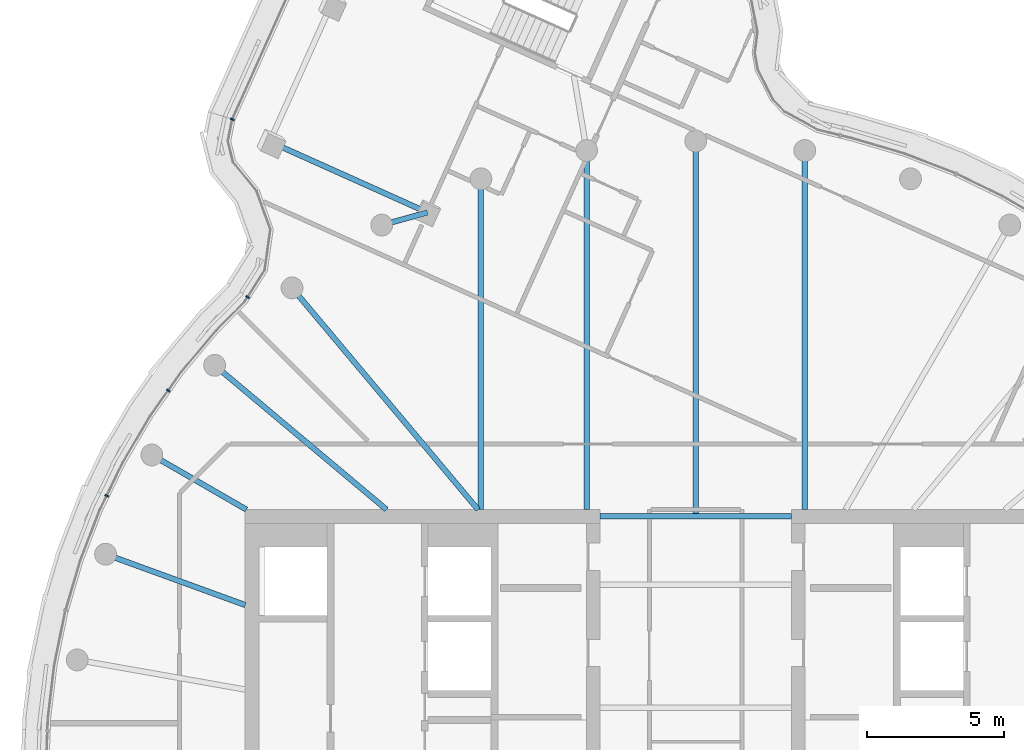
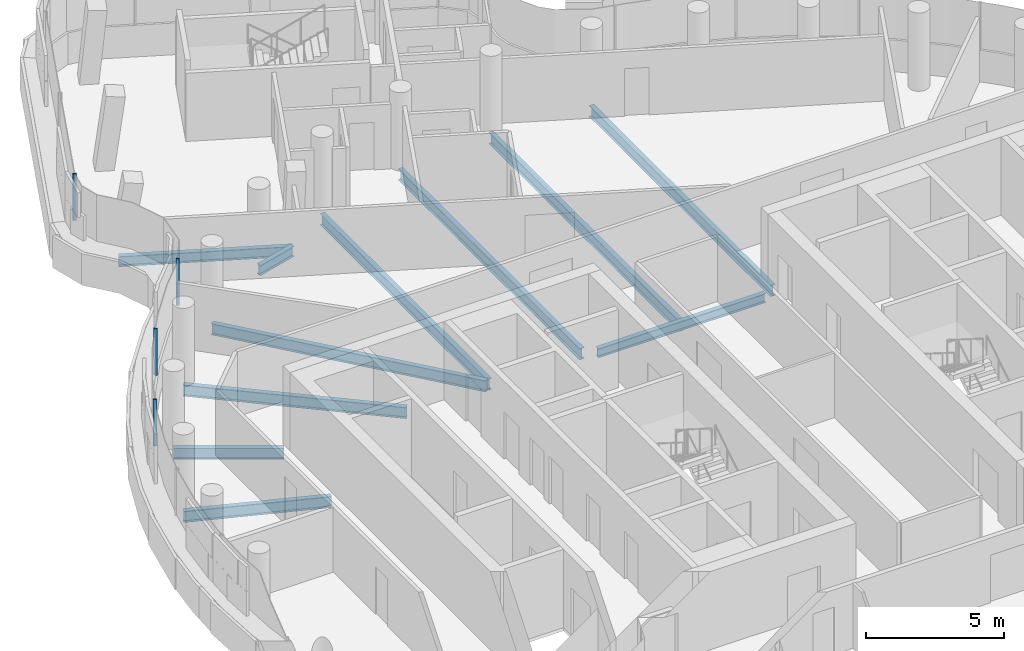
# One storey, part 9 of 21: 11 beams, 4 members, 1 element without a shape of its own.
"""IFC4 building model written with IfcOpenShell, lengths in metres."""

from ifc_helpers import new_model, si_unit, direction, frame, origin, origin_2d, place, context, subcontext, project, spatial, rectangle, i_section, extrude, material, layer, layer_set, material_profile, profile_set, type_object, element, aggregate, save


model = new_model("IFC4")

# Units and contexts
model_context = context("Model", 3, precision=1e-05, world=origin(), true_north=direction((0.0, 1.0)))
body_context = subcontext(model_context, "Body", "Model", "MODEL_VIEW")
ifc_project = project(units=[si_unit("LENGTHUNIT", "METRE"), si_unit("AREAUNIT", "SQUARE_METRE"), si_unit("VOLUMEUNIT", "CUBIC_METRE"), si_unit("PLANEANGLEUNIT", "RADIAN"), si_unit("MASSUNIT", "GRAM", prefix="KILO")], contexts=[model_context])

# Site, building, storey
site_placement = place(None, origin())
site = spatial("IfcSite", under=ifc_project, at=site_placement, CompositionType="ELEMENT")
building_placement = place(site_placement, origin())
building = spatial("IfcBuilding", under=site, at=building_placement, Name="Tamarind Cross Interchange Tower", CompositionType="ELEMENT")
storey_placement = place(building_placement, frame((0.0, 0.0, 271.199951171875)))
storey = spatial("IfcBuildingStorey", under=building, at=storey_placement, Name="L69", CompositionType="ELEMENT", Elevation=271.199951171875)

# Beams
ifc_material_1 = material(Name="Steel Q355B", Category="steel")
ifc_material_profile_1 = material_profile(ifc_material_1, i_section(OverallWidth=0.199951171875, OverallDepth=0.39990234375, WebThickness=0.008056640625, FlangeThickness=0.012939453125, FilletRadius=0.01611328125, at=origin_2d()), Name="HN 400x200x8x13")
ifc_profile_set_1 = profile_set([ifc_material_profile_1], Name="Steel Q355B")
beam_type_1 = type_object("IfcBeamType", Name="Composite beam HN 400x200x8x13 Q355B", PredefinedType="BEAM", material=ifc_profile_set_1)
beam_1_placement = place(storey_placement, frame((-3.5, 9.25, -0.33984375), z_axis=(1.0, 0.0, 0.0), x_axis=(0.0, 1.0, 0.0)))
element("IfcBeam", 1, at=beam_1_placement, inside=storey, type_object=beam_type_1, Name="Beam G9.25", PredefinedType="BEAM", context=body_context, shape_type="SweptSolid", body=[
    extrude(i_section(OverallWidth=0.199951171875, OverallDepth=0.39990234375, WebThickness=0.008056640625, FlangeThickness=0.012939453125, FilletRadius=0.01611328125, at=origin_2d()), origin(), (0.0, 0.0, 1.0), 7.0),
])
ifc_material_profile_2 = material_profile(ifc_material_1, i_section(OverallWidth=0.198974609375, OverallDepth=0.446044921875, WebThickness=0.008056640625, FlangeThickness=0.011962890625, FilletRadius=0.012939453125, at=origin_2d()), Name="HN 446x199x8x12")
ifc_profile_set_2 = profile_set([ifc_material_profile_2], Name="Steel Q355B")
beam_type_2 = type_object("IfcBeamType", Name="Composite beam HN 446x199x8x12 Q355B", PredefinedType="BEAM", material=ifc_profile_set_2)
beam_2_placement = place(storey_placement, frame((-15.60107421875, 22.975341796875, -0.363037109375), z_axis=(0.912273943752, -0.409580580046, 0.0), x_axis=(0.409580580046, 0.912273943752, 0.0)))
element("IfcBeam", 2, at=beam_2_placement, inside=storey, type_object=beam_type_2, Name="Beam N-edgeep2", PredefinedType="BEAM", context=body_context, shape_type="SweptSolid", body=[
    extrude(i_section(OverallWidth=0.198974609375, OverallDepth=0.446044921875, WebThickness=0.008056640625, FlangeThickness=0.011962890625, FilletRadius=0.012939453125, at=origin_2d()), origin(), (0.0, 0.0, 1.0), 6.33203125),
])
beam_3_placement = place(storey_placement, frame((-9.824462890625, 20.3818359375, -0.363037109375), z_axis=(-0.963857171964, -0.266419503893, 0.0), x_axis=(0.266419503893, -0.963857171964, 0.0)))
element("IfcBeam", 3, at=beam_3_placement, inside=storey, type_object=beam_type_2, Name="Beam N-linkep", PredefinedType="BEAM", context=body_context, shape_type="SweptSolid", body=[
    extrude(i_section(OverallWidth=0.198974609375, OverallDepth=0.446044921875, WebThickness=0.008056640625, FlangeThickness=0.011962890625, FilletRadius=0.012939453125, at=origin_2d()), origin(), (0.0, 0.0, 1.0), 1.73828125),
])
ifc_material_profile_3 = material_profile(ifc_material_1, i_section(OverallWidth=0.198974609375, OverallDepth=0.49609375, WebThickness=0.009033203125, FlangeThickness=0.013916015625, FilletRadius=0.012939453125, at=origin_2d()), Name="HN 496x199x9x14")
ifc_profile_set_3 = profile_set([ifc_material_profile_3], Name="Steel Q355B")
beam_type_3 = type_object("IfcBeamType", Name="Composite beam HN 496x199x9x14 Q355B", PredefinedType="BEAM", material=ifc_profile_set_3)
beam_4_placement = place(storey_placement, frame((3.993896484375, 22.650634765625, -0.387939453125), z_axis=(0.0, -1.0, 0.0), x_axis=(1.0, 0.0, 0.0)))
element("IfcBeam", 4, at=beam_4_placement, inside=storey, type_object=beam_type_3, Name="Beam HH08", PredefinedType="BEAM", context=body_context, shape_type="SweptSolid", body=[
    extrude(i_section(OverallWidth=0.198974609375, OverallDepth=0.49609375, WebThickness=0.009033203125, FlangeThickness=0.013916015625, FilletRadius=0.012939453125, at=origin_2d()), origin(), (0.0, 0.0, 1.0), 13.150634765625),
])
beam_5_placement = place(storey_placement, frame((0.0, 23.0, -0.387939453125), z_axis=(0.0, -1.0, 0.0), x_axis=(1.0, 0.0, 0.0)))
element("IfcBeam", 5, at=beam_5_placement, inside=storey, type_object=beam_type_3, Name="Beam HH09", PredefinedType="BEAM", context=body_context, shape_type="SweptSolid", body=[
    extrude(i_section(OverallWidth=0.198974609375, OverallDepth=0.49609375, WebThickness=0.009033203125, FlangeThickness=0.013916015625, FilletRadius=0.012939453125, at=origin_2d()), origin(), (0.0, 0.0, 1.0), 13.75),
])
beam_6_placement = place(storey_placement, frame((-3.993896484375, 22.650634765625, -0.387939453125), z_axis=(0.0, -1.0, 0.0), x_axis=(1.0, 0.0, 0.0)))
element("IfcBeam", 6, at=beam_6_placement, inside=storey, type_object=beam_type_3, Name="Beam HH10", PredefinedType="BEAM", context=body_context, shape_type="SweptSolid", body=[
    extrude(i_section(OverallWidth=0.198974609375, OverallDepth=0.49609375, WebThickness=0.009033203125, FlangeThickness=0.013916015625, FilletRadius=0.012939453125, at=origin_2d()), origin(), (0.0, 0.0, 1.0), 13.150634765625),
])
beam_7_placement = place(storey_placement, frame((-7.866455078125, 21.613037109375, -0.387939453125), z_axis=(0.0, -1.0, 0.0), x_axis=(1.0, 0.0, 0.0)))
element("IfcBeam", 7, at=beam_7_placement, inside=storey, type_object=beam_type_3, Name="Beam HH11", PredefinedType="BEAM", context=body_context, shape_type="SweptSolid", body=[
    extrude(i_section(OverallWidth=0.198974609375, OverallDepth=0.49609375, WebThickness=0.009033203125, FlangeThickness=0.013916015625, FilletRadius=0.012939453125, at=origin_2d()), origin(), (0.0, 0.0, 1.0), 12.113037109375),
])
beam_8_placement = place(storey_placement, frame((-14.7841796875, 17.619140625, -0.387939453125), z_axis=(0.642786293979, -0.766045547127, 0.0), x_axis=(0.766045547127, 0.642786293979, 0.0)))
element("IfcBeam", 8, at=beam_8_placement, inside=storey, type_object=beam_type_3, Name="Beam HH13", PredefinedType="BEAM", context=body_context, shape_type="SweptSolid", body=[
    extrude(i_section(OverallWidth=0.198974609375, OverallDepth=0.49609375, WebThickness=0.009033203125, FlangeThickness=0.013916015625, FilletRadius=0.012939453125, at=origin_2d()), origin(), (0.0, 0.0, 1.0), 10.598876953125),
])
beam_9_placement = place(storey_placement, frame((-17.619140625, 14.7841796875, -0.387939453125), z_axis=(0.766040580814, -0.642792212574, 0.0), x_axis=(0.642792212574, 0.766040580814, 0.0)))
element("IfcBeam", 9, at=beam_9_placement, inside=storey, type_object=beam_type_3, Name="Beam HH14", PredefinedType="BEAM", context=body_context, shape_type="SweptSolid", body=[
    extrude(i_section(OverallWidth=0.198974609375, OverallDepth=0.49609375, WebThickness=0.009033203125, FlangeThickness=0.013916015625, FilletRadius=0.012939453125, at=origin_2d()), origin(), (0.0, 0.0, 1.0), 8.220703125),
])
beam_10_placement = place(storey_placement, frame((-19.918701171875, 11.5, -0.387939453125), z_axis=(0.866026010844, -0.49999894854, 0.0), x_axis=(0.49999894854, 0.866026010844, 0.0)))
element("IfcBeam", 10, at=beam_10_placement, inside=storey, type_object=beam_type_3, Name="Beam HH15", PredefinedType="BEAM", context=body_context, shape_type="SweptSolid", body=[
    extrude(i_section(OverallWidth=0.198974609375, OverallDepth=0.49609375, WebThickness=0.009033203125, FlangeThickness=0.013916015625, FilletRadius=0.012939453125, at=origin_2d()), origin(), (0.0, 0.0, 1.0), 4.0),
])
beam_11_placement = place(storey_placement, frame((-21.613037109375, 7.866455078125, -0.387939453125), z_axis=(0.939701685589, -0.341995236956, 0.0), x_axis=(0.341995236956, 0.939701685589, 0.0)))
element("IfcBeam", 11, at=beam_11_placement, inside=storey, type_object=beam_type_3, Name="Beam HH16", PredefinedType="BEAM", context=body_context, shape_type="SweptSolid", body=[
    extrude(i_section(OverallWidth=0.198974609375, OverallDepth=0.49609375, WebThickness=0.009033203125, FlangeThickness=0.013916015625, FilletRadius=0.012939453125, at=origin_2d()), origin(), (0.0, 0.0, 1.0), 5.441162109375),
])

# Curtain wall, members
ifc_material_2 = material(Name="Aluminium 6063-T6", Category="aluminium")
ifc_layer = layer(ifc_material_2, 0.139892578125)
ifc_layer_set = layer_set([ifc_layer], Name="Aluminium 6063-T6")
curtain_wall_type = type_object("IfcCurtainWallType", Name="Hotel curtain wall, 4.5 m bays", PredefinedType="NOTDEFINED", material=ifc_layer_set)
curtain_wall_placement = place(storey_placement, origin())
curtain_wall = element("IfcCurtainWall", 12, at=curtain_wall_placement, inside=storey, type_object=curtain_wall_type, Name="CWS-L69-01", PredefinedType="NOTDEFINED")
ifc_material_profile_4 = material_profile(ifc_material_2, rectangle(XDim=0.06005859375, YDim=0.139892578125, at=origin_2d()), Name="Mullion CW2")
ifc_profile_set_4 = profile_set([ifc_material_profile_4], Name="Aluminium 6063-T6")
member_type = type_object("IfcMemberType", Name="Mullion CW2", PredefinedType="MULLION", material=ifc_profile_set_4)
member_1_placement = place(storey_placement, frame((-16.970947265625, 23.7939453125, 1.400146484375), z_axis=(0.0, 0.0, 1.0), x_axis=(-0.306227026628, -0.951958511786, 0.0)))
member_1 = element("IfcMember", 13, at=member_1_placement, type_object=member_type, Name="CWM-L69-01-00", PredefinedType="MULLION", context=body_context, shape_type="SweptSolid", body=[
    extrude(rectangle(XDim=0.06005859375, YDim=0.139892578125, at=origin_2d()), origin(), (0.0, 0.0, 1.0), 2.059814453125),
])
member_2_placement = place(storey_placement, frame((-16.40966796875, 17.2841796875, 1.400146484375), z_axis=(0.0, 0.0, 1.0), x_axis=(-0.536024064233, -0.844202702296, 0.0)))
member_2 = element("IfcMember", 14, at=member_2_placement, type_object=member_type, Name="CWM-L69-01-01", PredefinedType="MULLION", context=body_context, shape_type="SweptSolid", body=[
    extrude(rectangle(XDim=0.06005859375, YDim=0.139892578125, at=origin_2d()), origin(), (0.0, 0.0, 1.0), 2.059814453125),
])
member_3_placement = place(storey_placement, frame((-19.318359375, 13.85986328125, 1.400146484375), z_axis=(0.0, 0.0, 1.0), x_axis=(-0.577568978284, -0.816341886298, 0.0)))
member_3 = element("IfcMember", 15, at=member_3_placement, type_object=member_type, Name="CWM-L69-01-02", PredefinedType="MULLION", context=body_context, shape_type="SweptSolid", body=[
    extrude(rectangle(XDim=0.06005859375, YDim=0.139892578125, at=origin_2d()), origin(), (0.0, 0.0, 1.0), 2.059814453125),
])
member_4_placement = place(storey_placement, frame((-21.568603515625, 10.010498046875, 1.400146484375), z_axis=(0.0, 0.0, 1.0), x_axis=(-0.435326231914, -0.900272776334, 0.0)))
member_4 = element("IfcMember", 16, at=member_4_placement, type_object=member_type, Name="CWM-L69-01-03", PredefinedType="MULLION", context=body_context, shape_type="SweptSolid", body=[
    extrude(rectangle(XDim=0.06005859375, YDim=0.139892578125, at=origin_2d()), origin(), (0.0, 0.0, 1.0), 2.059814453125),
])
aggregate(curtain_wall, [member_1, member_2, member_3, member_4])

save(model, "model.ifc")
